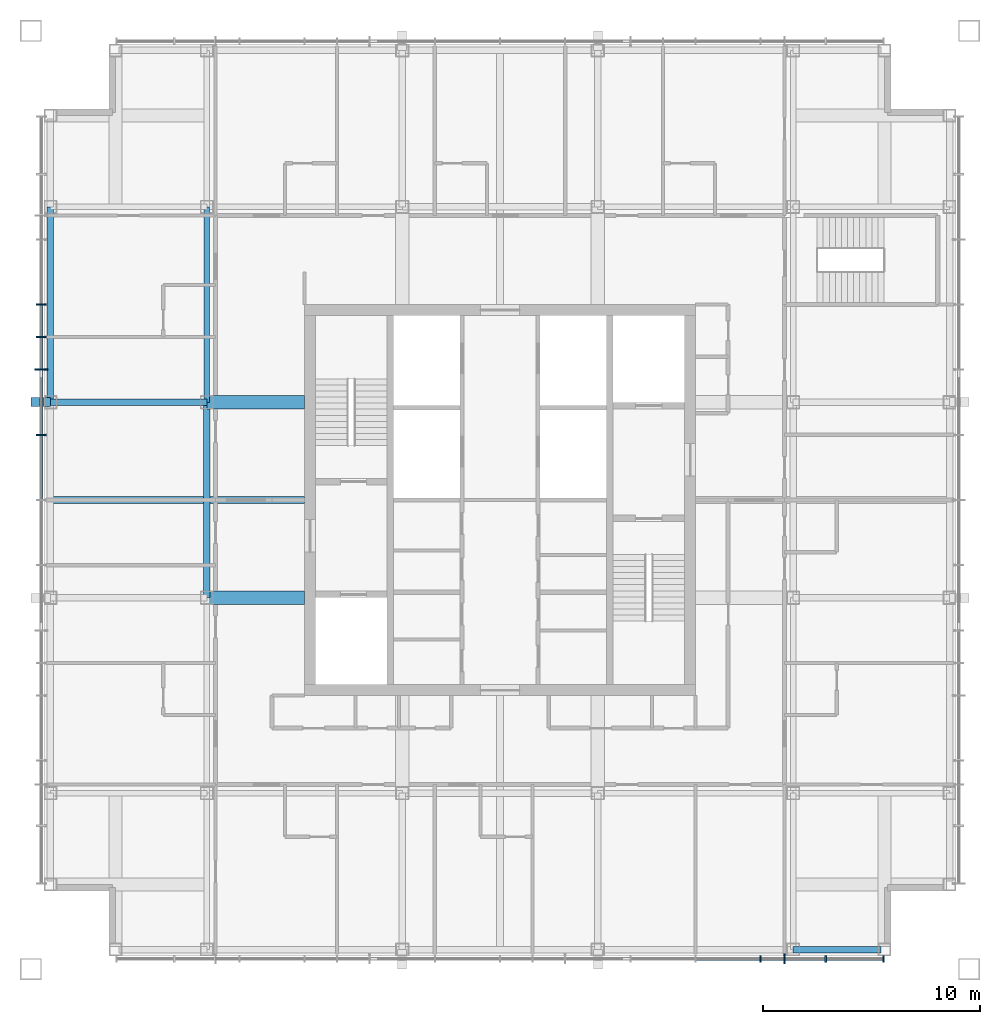
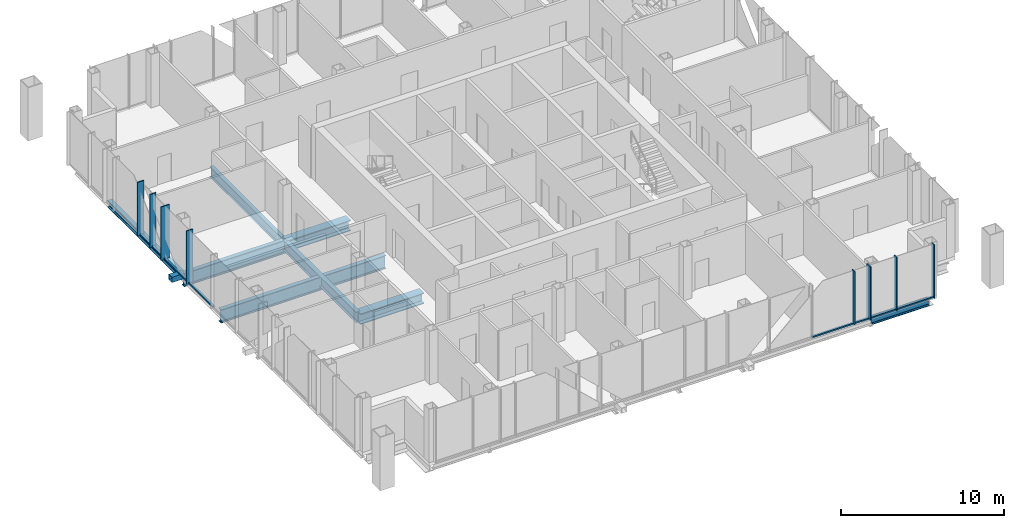
# One storey, part 3 of 13: 17 members, 8 beams, 2 elements without a shape of their own.
"""IFC4 building model written with IfcOpenShell, lengths in metres."""

from ifc_helpers import new_model, si_unit, direction, frame, origin, origin_2d, place, context, subcontext, project, spatial, rectangle, hollow_rectangle, i_section, extrude, material, layer, layer_set, material_profile, profile_set, type_object, element, aggregate, save


model = new_model("IFC4")

# Units and contexts
model_context = context("Model", 3, precision=1e-05, world=origin(), true_north=direction((0.0, 1.0)))
body_context = subcontext(model_context, "Body", "Model", "MODEL_VIEW")
ifc_project = project(units=[si_unit("LENGTHUNIT", "METRE"), si_unit("AREAUNIT", "SQUARE_METRE"), si_unit("VOLUMEUNIT", "CUBIC_METRE"), si_unit("PLANEANGLEUNIT", "RADIAN"), si_unit("MASSUNIT", "GRAM", prefix="KILO")], contexts=[model_context])

# Site, building, storey
site_placement = place(None, origin())
site = spatial("IfcSite", under=ifc_project, at=site_placement, CompositionType="ELEMENT")
building_placement = place(site_placement, origin())
building = spatial("IfcBuilding", under=site, at=building_placement, Name="Malebo Sky Hospital", CompositionType="ELEMENT")
storey_placement = place(building_placement, frame((0.0, 0.0, 274.0)))
storey = spatial("IfcBuildingStorey", under=building, at=storey_placement, Name="L66", CompositionType="ELEMENT", Elevation=274.0)

# Curtain wall, members
ifc_material_1 = material(Name="Anodised aluminium, natural silver", Category="aluminium")
ifc_layer_1 = layer(ifc_material_1, 0.25)
ifc_layer_set_1 = layer_set([ifc_layer_1], Name="WARD CURTAIN WALL EAST AND WEST")
curtain_wall_type_1 = type_object("IfcCurtainWallType", Name="WARD CURTAIN WALL EAST AND WEST", PredefinedType="NOTDEFINED", material=ifc_layer_set_1)
curtain_wall_1_placement = place(storey_placement, origin())
curtain_wall_1 = element("IfcCurtainWall", 1, at=curtain_wall_1_placement, inside=storey, type_object=curtain_wall_type_1, Name="EW curtain wall W", PredefinedType="NOTDEFINED")
ifc_material_profile_1 = material_profile(ifc_material_1, rectangle(XDim=0.14990234375, YDim=0.10009765625, at=origin_2d()), Name="ALUMINIUM TRANSOM 150x100")
ifc_profile_set_1 = profile_set([ifc_material_profile_1], Name="Anodised aluminium, natural silver")
member_type_1 = type_object("IfcMemberType", Name="ALUMINIUM TRANSOM 150x100", PredefinedType="USERDEFINED", material=ifc_profile_set_1)
member_1_placement = place(storey_placement, frame((38.875, 62.03759765625, 0.050048828125), z_axis=(0.0, 1.0, 0.0), x_axis=(-1.0, 0.0, 0.0)))
member_1 = element("IfcMember", 2, at=member_1_placement, type_object=member_type_1, Name="Transom 9", ObjectType="TRANSOM", PredefinedType="USERDEFINED", context=body_context, shape_type="SweptSolid", body=[
    extrude(rectangle(XDim=0.14990234375, YDim=0.10009765625, at=origin_2d()), origin(), (0.0, 0.0, 1.0), 2.9248046875),
])
member_2_placement = place(storey_placement, frame((38.875, 65.03759765625, 0.050048828125), z_axis=(0.0, 1.0, 0.0), x_axis=(-1.0, 0.0, 0.0)))
member_2 = element("IfcMember", 3, at=member_2_placement, type_object=member_type_1, Name="Transom 10", ObjectType="TRANSOM", PredefinedType="USERDEFINED", context=body_context, shape_type="SweptSolid", body=[
    extrude(rectangle(XDim=0.14990234375, YDim=0.10009765625, at=origin_2d()), origin(), (0.0, 0.0, 1.0), 2.9248046875),
])
member_3_placement = place(storey_placement, frame((38.875, 68.03759765625, 0.050048828125), z_axis=(0.0, 1.0, 0.0), x_axis=(-1.0, 0.0, 0.0)))
member_3 = element("IfcMember", 4, at=member_3_placement, type_object=member_type_1, Name="Transom 11", ObjectType="TRANSOM", PredefinedType="USERDEFINED", context=body_context, shape_type="SweptSolid", body=[
    extrude(rectangle(XDim=0.14990234375, YDim=0.10009765625, at=origin_2d()), origin(), (0.0, 0.0, 1.0), 1.4248046875),
])
member_4_placement = place(storey_placement, frame((38.875, 69.53759765625, 0.050048828125), z_axis=(0.0, 1.0, 0.0), x_axis=(-1.0, 0.0, 0.0)))
member_4 = element("IfcMember", 5, at=member_4_placement, type_object=member_type_1, Name="Transom 12", ObjectType="TRANSOM", PredefinedType="USERDEFINED", context=body_context, shape_type="SweptSolid", body=[
    extrude(rectangle(XDim=0.14990234375, YDim=0.10009765625, at=origin_2d()), origin(), (0.0, 0.0, 1.0), 1.4248046875),
])

ifc_layer_2 = layer(ifc_material_1, 0.25)
ifc_layer_set_2 = layer_set([ifc_layer_2], Name="WARD CURTAIN WALL NORTH AND SOUTH")
curtain_wall_type_2 = type_object("IfcCurtainWallType", Name="WARD CURTAIN WALL NORTH AND SOUTH", PredefinedType="NOTDEFINED", material=ifc_layer_set_2)
curtain_wall_2_placement = place(storey_placement, origin())
curtain_wall_2 = element("IfcCurtainWall", 6, at=curtain_wall_2_placement, inside=storey, type_object=curtain_wall_type_2, Name="NS curtain wall S", PredefinedType="NOTDEFINED")
member_5_placement = place(storey_placement, frame((77.625, 40.875, 0.050048828125), z_axis=(-1.0, 0.0, 0.0), x_axis=(0.0, -1.0, 0.0)))
member_5 = element("IfcMember", 7, at=member_5_placement, type_object=member_type_1, Name="Transom 1", ObjectType="TRANSOM", PredefinedType="USERDEFINED", context=body_context, shape_type="SweptSolid", body=[
    extrude(rectangle(XDim=0.14990234375, YDim=0.10009765625, at=origin_2d()), origin(), (0.0, 0.0, 1.0), 2.58740234375),
])
member_6_placement = place(storey_placement, frame((74.96240234375, 40.875, 0.050048828125), z_axis=(-1.0, 0.0, 0.0), x_axis=(0.0, -1.0, 0.0)))
member_6 = element("IfcMember", 8, at=member_6_placement, type_object=member_type_1, Name="Transom 2", ObjectType="TRANSOM", PredefinedType="USERDEFINED", context=body_context, shape_type="SweptSolid", body=[
    extrude(rectangle(XDim=0.14990234375, YDim=0.10009765625, at=origin_2d()), origin(), (0.0, 0.0, 1.0), 1.824951171875),
])
member_7_placement = place(storey_placement, frame((73.0625, 40.875, 0.050048828125), z_axis=(-1.0, 0.0, 0.0), x_axis=(0.0, -1.0, 0.0)))
member_7 = element("IfcMember", 9, at=member_7_placement, type_object=member_type_1, Name="Transom 3", ObjectType="TRANSOM", PredefinedType="USERDEFINED", context=body_context, shape_type="SweptSolid", body=[
    extrude(rectangle(XDim=0.14990234375, YDim=0.10009765625, at=origin_2d()), origin(), (0.0, 0.0, 1.0), 1.02490234375),
])
member_8_placement = place(storey_placement, frame((71.96240234375, 40.875, 0.050048828125), z_axis=(-1.0, 0.0, 0.0), x_axis=(0.0, -1.0, 0.0)))
member_8 = element("IfcMember", 10, at=member_8_placement, type_object=member_type_1, Name="Transom 4", ObjectType="TRANSOM", PredefinedType="USERDEFINED", context=body_context, shape_type="SweptSolid", body=[
    extrude(rectangle(XDim=0.14990234375, YDim=0.10009765625, at=origin_2d()), origin(), (0.0, 0.0, 1.0), 2.9248046875),
])

# Member
ifc_material_2 = material(Name="Steel S355", Category="steel")
ifc_material_profile_2 = material_profile(ifc_material_2, hollow_rectangle(XDim=0.39990234375, YDim=0.39990234375, WallThickness=0.02001953125, at=origin_2d()), Name="SHS 400x20")
ifc_profile_set_2 = profile_set([ifc_material_profile_2], Name="Steel S355")
member_type_2 = type_object("IfcMemberType", Name="BRACE STRUT SHS 400x20", PredefinedType="STRUT", material=ifc_profile_set_2)
member_9_placement = place(storey_placement, frame((38.39990234375, 66.51220703125, -0.39990234375), z_axis=(1.0, 0.0, 0.0), x_axis=(0.0, 1.0, 0.0)))
element("IfcMember", 11, at=member_9_placement, inside=storey, type_object=member_type_2, Name="Brace strut DW2 L66", PredefinedType="STRUT", context=body_context, shape_type="SweptSolid", body=[
    extrude(hollow_rectangle(XDim=0.39990234375, YDim=0.39990234375, WallThickness=0.02001953125, at=origin_2d()), origin(), (0.0, 0.0, 1.0), 0.900146484375),
])

ifc_material_profile_3 = material_profile(ifc_material_1, rectangle(XDim=0.074951171875, YDim=0.300048828125, at=origin_2d()), Name="CW1 ALUMINIUM FIN MULLION 75x300")
ifc_profile_set_3 = profile_set([ifc_material_profile_3], Name="Anodised aluminium, natural silver")
member_type_3 = type_object("IfcMemberType", Name="CW1 ALUMINIUM FIN MULLION 75x300", PredefinedType="MULLION", material=ifc_profile_set_3)
member_10_placement = place(storey_placement, frame((77.66259765625, 40.875, 0.0), z_axis=(0.0, 0.0, 1.0), x_axis=(-1.0, 0.0, 0.0)))
member_10 = element("IfcMember", 12, at=member_10_placement, type_object=member_type_3, Name="Fin mullion 1", PredefinedType="MULLION", context=body_context, shape_type="SweptSolid", body=[
    extrude(rectangle(XDim=0.074951171875, YDim=0.300048828125, at=origin_2d()), origin(), (0.0, 0.0, 1.0), 4.0),
])

member_11_placement = place(storey_placement, frame((75.0, 40.875, 0.0), z_axis=(0.0, 0.0, 1.0), x_axis=(-1.0, 0.0, 0.0)))
member_11 = element("IfcMember", 13, at=member_11_placement, type_object=member_type_3, Name="Fin mullion 2", PredefinedType="MULLION", context=body_context, shape_type="SweptSolid", body=[
    extrude(rectangle(XDim=0.074951171875, YDim=0.300048828125, at=origin_2d()), origin(), (0.0, 0.0, 1.0), 4.0),
])

member_12_placement = place(storey_placement, frame((72.0, 40.875, 0.0), z_axis=(0.0, 0.0, 1.0), x_axis=(-1.0, 0.0, 0.0)))
member_12 = element("IfcMember", 14, at=member_12_placement, type_object=member_type_3, Name="Fin mullion 4", PredefinedType="MULLION", context=body_context, shape_type="SweptSolid", body=[
    extrude(rectangle(XDim=0.074951171875, YDim=0.300048828125, at=origin_2d()), origin(), (0.0, 0.0, 1.0), 4.0),
])

ifc_material_profile_4 = material_profile(ifc_material_1, rectangle(XDim=0.074951171875, YDim=0.449951171875, at=origin_2d()), Name="CW1 ALUMINIUM FIN MULLION 75x450")
ifc_profile_set_4 = profile_set([ifc_material_profile_4], Name="Anodised aluminium, natural silver")
member_type_4 = type_object("IfcMemberType", Name="CW1 ALUMINIUM FIN MULLION 75x450", PredefinedType="MULLION", material=ifc_profile_set_4)
member_13_placement = place(storey_placement, frame((73.10009765625, 40.875, 0.0), z_axis=(0.0, 0.0, 1.0), x_axis=(-1.0, 0.0, 0.0)))
member_13 = element("IfcMember", 15, at=member_13_placement, type_object=member_type_4, Name="Fin mullion 3", PredefinedType="MULLION", context=body_context, shape_type="SweptSolid", body=[
    extrude(rectangle(XDim=0.074951171875, YDim=0.449951171875, at=origin_2d()), origin(), (0.0, 0.0, 1.0), 4.0),
])

aggregate(curtain_wall_2, [member_10, member_11, member_13, member_12, member_5, member_6, member_7, member_8])

ifc_material_profile_5 = material_profile(ifc_material_1, rectangle(XDim=0.074951171875, YDim=0.449951171875, at=origin_2d()), Name="CW2 ALUMINIUM FIN MULLION 75x450")
ifc_profile_set_5 = profile_set([ifc_material_profile_5], Name="Anodised aluminium, natural silver")
member_type_5 = type_object("IfcMemberType", Name="CW2 ALUMINIUM FIN MULLION 75x450", PredefinedType="MULLION", material=ifc_profile_set_5)
member_14_placement = place(storey_placement, frame((38.875, 65.0, 0.0), z_axis=(0.0, 0.0, 1.0), x_axis=(0.0, 1.0, 0.0)))
member_14 = element("IfcMember", 16, at=member_14_placement, type_object=member_type_5, Name="Fin mullion 10", PredefinedType="MULLION", context=body_context, shape_type="SweptSolid", body=[
    extrude(rectangle(XDim=0.074951171875, YDim=0.449951171875, at=origin_2d()), origin(), (0.0, 0.0, 1.0), 4.0),
])

member_15_placement = place(storey_placement, frame((38.875, 69.5, 0.0), z_axis=(0.0, 0.0, 1.0), x_axis=(0.0, 1.0, 0.0)))
member_15 = element("IfcMember", 17, at=member_15_placement, type_object=member_type_5, Name="Fin mullion 12", PredefinedType="MULLION", context=body_context, shape_type="SweptSolid", body=[
    extrude(rectangle(XDim=0.074951171875, YDim=0.449951171875, at=origin_2d()), origin(), (0.0, 0.0, 1.0), 4.0),
])

member_16_placement = place(storey_placement, frame((38.875, 71.0, 0.0), z_axis=(0.0, 0.0, 1.0), x_axis=(0.0, 1.0, 0.0)))
member_16 = element("IfcMember", 18, at=member_16_placement, type_object=member_type_5, Name="Fin mullion 13", PredefinedType="MULLION", context=body_context, shape_type="SweptSolid", body=[
    extrude(rectangle(XDim=0.074951171875, YDim=0.449951171875, at=origin_2d()), origin(), (0.0, 0.0, 1.0), 4.0),
])

ifc_material_profile_6 = material_profile(ifc_material_1, rectangle(XDim=0.074951171875, YDim=0.60009765625, at=origin_2d()), Name="CW2 ALUMINIUM FIN MULLION 75x600")
ifc_profile_set_6 = profile_set([ifc_material_profile_6], Name="Anodised aluminium, natural silver")
member_type_6 = type_object("IfcMemberType", Name="CW2 ALUMINIUM FIN MULLION 75x600", PredefinedType="MULLION", material=ifc_profile_set_6)
member_17_placement = place(storey_placement, frame((38.875, 68.0, 0.0), z_axis=(0.0, 0.0, 1.0), x_axis=(0.0, 1.0, 0.0)))
member_17 = element("IfcMember", 19, at=member_17_placement, type_object=member_type_6, Name="Fin mullion 11", PredefinedType="MULLION", context=body_context, shape_type="SweptSolid", body=[
    extrude(rectangle(XDim=0.074951171875, YDim=0.60009765625, at=origin_2d()), origin(), (0.0, 0.0, 1.0), 4.0),
])

aggregate(curtain_wall_1, [member_14, member_17, member_15, member_16, member_1, member_2, member_3, member_4])

# Beams
ifc_material_profile_7 = material_profile(ifc_material_2, i_section(OverallWidth=0.305908203125, OverallDepth=0.52392578125, WebThickness=0.02099609375, FlangeThickness=0.0400390625, FilletRadius=0.027099609375, at=origin_2d()), Name="HEM 500")
ifc_profile_set_7 = profile_set([ifc_material_profile_7], Name="Steel S355")
beam_type_1 = type_object("IfcBeamType", Name="EDGE BEAM HEM 500", PredefinedType="BEAM", material=ifc_profile_set_7)
beam_1_placement = place(storey_placement, frame((39.300048828125, 66.5, -0.511962890625), z_axis=(0.0, 1.0, 0.0), x_axis=(-1.0, 0.0, 0.0)))
element("IfcBeam", 20, at=beam_1_placement, inside=storey, type_object=beam_type_1, Name="Beam 003 L66", PredefinedType="BEAM", context=body_context, shape_type="SweptSolid", body=[
    extrude(i_section(OverallWidth=0.305908203125, OverallDepth=0.52392578125, WebThickness=0.02099609375, FlangeThickness=0.0400390625, FilletRadius=0.027099609375, at=origin_2d()), origin(), (0.0, 0.0, 1.0), 9.0),
])
beam_2_placement = place(storey_placement, frame((73.5, 41.300048828125, -0.511962890625), z_axis=(1.0, 0.0, 0.0), x_axis=(0.0, 1.0, 0.0)))
element("IfcBeam", 21, at=beam_2_placement, inside=storey, type_object=beam_type_1, Name="Beam 038 L66", PredefinedType="BEAM", context=body_context, shape_type="SweptSolid", body=[
    extrude(i_section(OverallWidth=0.305908203125, OverallDepth=0.52392578125, WebThickness=0.02099609375, FlangeThickness=0.0400390625, FilletRadius=0.027099609375, at=origin_2d()), origin(), (0.0, 0.0, 1.0), 4.050048828125),
])
ifc_material_profile_8 = material_profile(ifc_material_2, i_section(OverallWidth=0.300048828125, OverallDepth=1.0, WebThickness=0.01904296875, FlangeThickness=0.035888671875, FilletRadius=0.030029296875, at=origin_2d()), Name="HEB 1000")
ifc_profile_set_8 = profile_set([ifc_material_profile_8], Name="Steel S355")
beam_type_2 = type_object("IfcBeamType", Name="FLOOR BEAM HEB 1000", PredefinedType="BEAM", material=ifc_profile_set_8)
beam_3_placement = place(storey_placement, frame((39.300048828125, 62.0, -0.75), z_axis=(1.0, 0.0, 0.0), x_axis=(0.0, 1.0, 0.0)))
element("IfcBeam", 22, at=beam_3_placement, inside=storey, type_object=beam_type_2, Name="Beam 050 L66", PredefinedType="BEAM", context=body_context, shape_type="SweptSolid", body=[
    extrude(i_section(OverallWidth=0.300048828125, OverallDepth=1.0, WebThickness=0.01904296875, FlangeThickness=0.035888671875, FilletRadius=0.030029296875, at=origin_2d()), origin(), (0.0, 0.0, 1.0), 11.699951171875),
])
beam_4_placement = place(storey_placement, frame((39.300048828125, 66.5, -0.75), z_axis=(1.0, 0.0, 0.0), x_axis=(0.0, 1.0, 0.0)))
element("IfcBeam", 23, at=beam_4_placement, inside=storey, type_object=beam_type_2, Name="Beam 052 L66", PredefinedType="BEAM", context=body_context, shape_type="SweptSolid", body=[
    extrude(i_section(OverallWidth=0.300048828125, OverallDepth=1.0, WebThickness=0.01904296875, FlangeThickness=0.035888671875, FilletRadius=0.030029296875, at=origin_2d()), origin(), (0.0, 0.0, 1.0), 7.199951171875),
])
ifc_material_profile_9 = material_profile(ifc_material_2, i_section(OverallWidth=0.26708984375, OverallDepth=0.761962890625, WebThickness=0.014404296875, FlangeThickness=0.021484375, FilletRadius=0.01708984375, at=origin_2d()), Name="IPE 750x173")
ifc_profile_set_9 = profile_set([ifc_material_profile_9], Name="Steel S355")
beam_type_3 = type_object("IfcBeamType", Name="FLOOR BEAM IPE 750x173", PredefinedType="BEAM", material=ifc_profile_set_9)
beam_5_placement = place(storey_placement, frame((46.5, 66.5, -0.631103515625), z_axis=(0.0, 1.0, 0.0), x_axis=(-1.0, 0.0, 0.0)))
element("IfcBeam", 24, at=beam_5_placement, inside=storey, type_object=beam_type_3, Name="Beam 010 L66", PredefinedType="BEAM", context=body_context, shape_type="SweptSolid", body=[
    extrude(i_section(OverallWidth=0.26708984375, OverallDepth=0.761962890625, WebThickness=0.014404296875, FlangeThickness=0.021484375, FilletRadius=0.01708984375, at=origin_2d()), origin(), (0.0, 0.0, 1.0), 9.0),
])
ifc_material_profile_10 = material_profile(ifc_material_2, i_section(OverallWidth=0.60009765625, OverallDepth=0.800048828125, WebThickness=0.0400390625, FlangeThickness=0.06005859375, at=origin_2d()), Name="PG 800x600x40x60")
ifc_profile_set_10 = profile_set([ifc_material_profile_10], Name="Steel S355")
beam_type_4 = type_object("IfcBeamType", Name="FLOOR BEAM PG 800x600x40x60", PredefinedType="BEAM", material=ifc_profile_set_10)
for number, where, z_axis, x_axis, name in (
    (25, (46.5, 57.5, -0.64990234375), (1.0, 0.0, 0.0), (0.0, 1.0, 0.0), "Beam 047 L66"),
    (26, (46.5, 66.5, -0.64990234375), (1.0, 0.0, 0.0), (0.0, 1.0, 0.0), "Beam 053 L66"),
):
    element("IfcBeam", number, at=place(storey_placement, frame(where, z_axis=z_axis, x_axis=x_axis)), inside=storey, type_object=beam_type_4, Name=name, PredefinedType="BEAM", context=body_context, shape_type="SweptSolid", body=[
        extrude(i_section(OverallWidth=0.60009765625, OverallDepth=0.800048828125, WebThickness=0.0400390625, FlangeThickness=0.06005859375, at=origin_2d()), origin(), (0.0, 0.0, 1.0), 4.5),
    ])
ifc_material_profile_11 = material_profile(ifc_material_2, i_section(OverallWidth=0.300048828125, OverallDepth=0.800048828125, WebThickness=0.017578125, FlangeThickness=0.032958984375, FilletRadius=0.030029296875, at=origin_2d()), Name="HEB 800")
ifc_profile_set_11 = profile_set([ifc_material_profile_11], Name="Steel S355")
beam_type_5 = type_object("IfcBeamType", Name="RING GIRDER HEB 800", PredefinedType="BEAM", material=ifc_profile_set_11)
beam_6_placement = place(storey_placement, frame((46.5, 57.5, -0.64990234375), z_axis=(0.0, 1.0, 0.0), x_axis=(-1.0, 0.0, 0.0)))
element("IfcBeam", 27, at=beam_6_placement, inside=storey, type_object=beam_type_5, Name="Beam 009 L66", PredefinedType="BEAM", context=body_context, shape_type="SweptSolid", body=[
    extrude(i_section(OverallWidth=0.300048828125, OverallDepth=0.800048828125, WebThickness=0.017578125, FlangeThickness=0.032958984375, FilletRadius=0.030029296875, at=origin_2d()), origin(), (0.0, 0.0, 1.0), 9.0),
])

save(model, "model.ifc")
